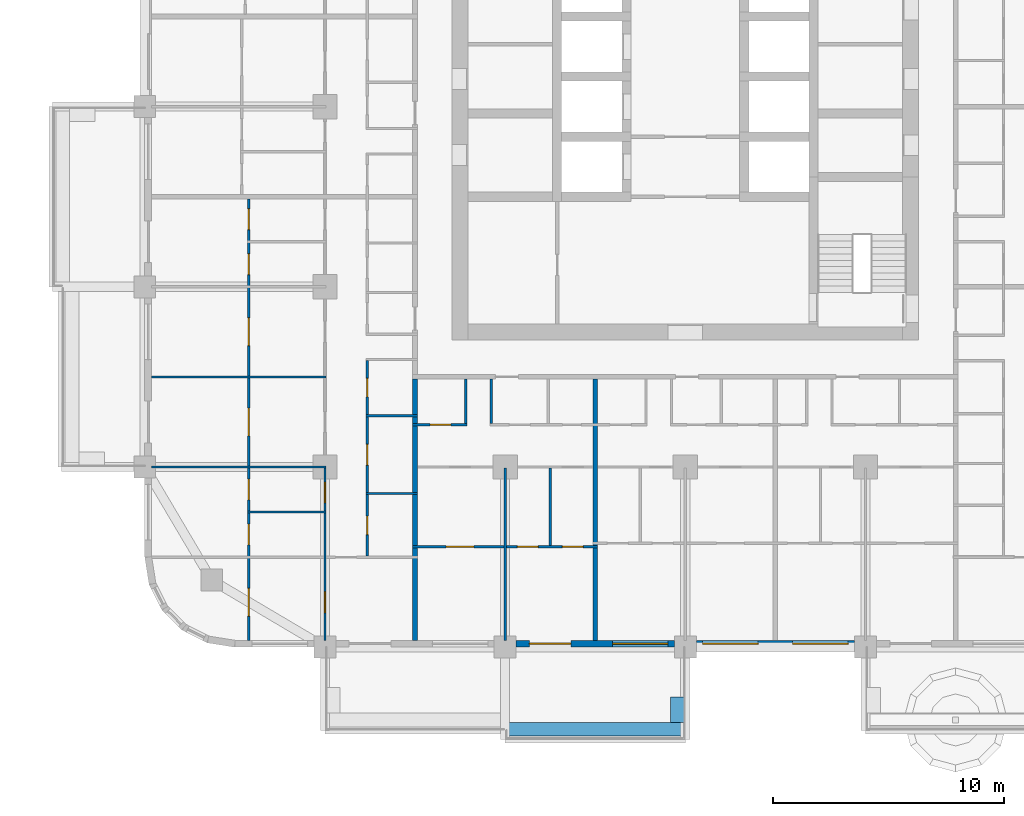
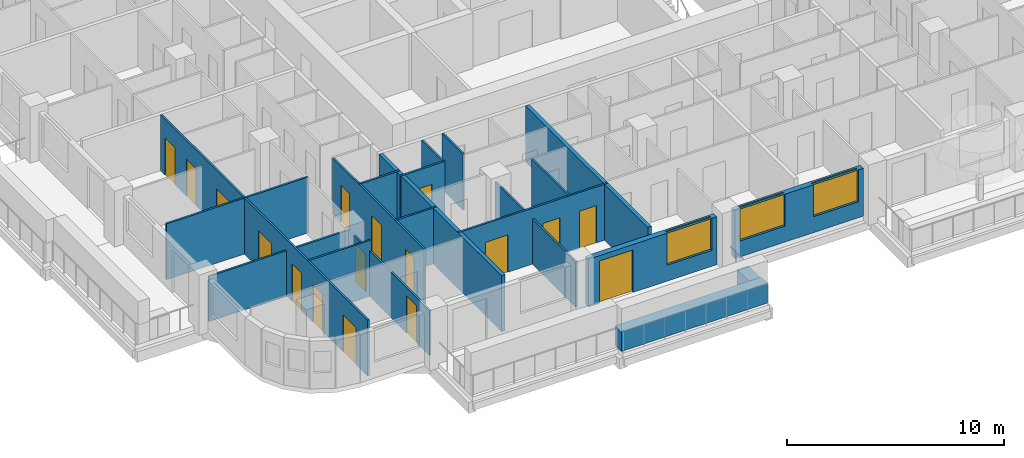
# One storey, part 3 of 19: 20 walls, 17 doors, 3 windows, 20 openings.
"""IFC4 building model written with IfcOpenShell, lengths in metres."""

from ifc_helpers import new_model, si_unit, direction, frame, frame_2d, origin, place, context, subcontext, project, spatial, rectangle, extrude, material, layer, layer_set, type_object, element, fill, save


model = new_model("IFC4")

# Units and contexts
model_context = context("Model", 3, precision=1e-05, world=origin(), true_north=direction((0.0, 1.0)))
body_context = subcontext(model_context, "Body", "Model", "MODEL_VIEW")
ifc_project = project(units=[si_unit("LENGTHUNIT", "METRE"), si_unit("AREAUNIT", "SQUARE_METRE"), si_unit("VOLUMEUNIT", "CUBIC_METRE"), si_unit("PLANEANGLEUNIT", "RADIAN"), si_unit("MASSUNIT", "GRAM", prefix="KILO")], contexts=[model_context])

# Site, building, storey
site_placement = place(None, origin())
site = spatial("IfcSite", under=ifc_project, at=site_placement, CompositionType="ELEMENT")
building_placement = place(site_placement, origin())
building = spatial("IfcBuilding", under=site, at=building_placement, Name="Ludao Terraces", CompositionType="ELEMENT")
storey_placement = place(building_placement, frame((0.0, 0.0, 68.199951171875)))
storey = spatial("IfcBuildingStorey", under=building, at=storey_placement, Name="L18", CompositionType="ELEMENT", Elevation=68.199951171875)

# Walls
ifc_material_1 = material(Name="Concrete C40", Category="concrete")
ifc_layer_1 = layer(ifc_material_1, 0.60009765625)
ifc_layer_set_1 = layer_set([ifc_layer_1], Name="ENV Planter trough 600")
wall_type_1 = type_object("IfcWallType", Name="ENV Planter trough 600", PredefinedType="USERDEFINED", material=ifc_layer_set_1)
wall_1_placement = place(storey_placement, frame((77.199951171875, 38.050048828125, 0.0), z_axis=(0.0, 0.0, 1.0), x_axis=(1.0, 0.0, 0.0)))
element("IfcWall", 1, at=wall_1_placement, inside=storey, type_object=wall_type_1, Name="PL-L18-S2", ObjectType="PLANTER", PredefinedType="USERDEFINED", context=body_context, shape_type="SweptSolid", body=[
    extrude(rectangle(XDim=7.800048828125, YDim=0.60009765625, at=frame_2d((3.89990234375, 0.0))), origin(), (0.0, 0.0, 1.0), 1.10009765625),
])
wall_2_placement = place(storey_placement, frame((84.64990234375, 38.35009765625, 0.0), z_axis=(0.0, 0.0, 1.0), x_axis=(0.0, 1.0, 0.0)))
element("IfcWall", 2, at=wall_2_placement, inside=storey, type_object=wall_type_1, Name="PL-L18-S2-SB", ObjectType="PLANTER", PredefinedType="USERDEFINED", context=body_context, shape_type="SweptSolid", body=[
    extrude(rectangle(XDim=1.099853515625, YDim=0.60009765625, at=frame_2d((0.5498046875, 0.0))), origin(), (0.0, 0.0, 1.0), 1.10009765625),
])

# Wall, openings, door, window
ifc_material_2 = material(Name="Granite cladding", Category="masonry")
ifc_layer_2 = layer(ifc_material_2, 0.0400390625, Category="stone")
ifc_material_3 = material(Name="Mineral wool")
ifc_layer_3 = layer(ifc_material_3, 0.06005859375)
ifc_layer_4 = layer(ifc_material_1, 0.199951171875, Category="concrete")
ifc_layer_set_2 = layer_set([ifc_layer_2, ifc_layer_3, ifc_layer_4], Name="ENV Stone-clad wall 300")
wall_type_2 = type_object("IfcWallType", Name="ENV Stone-clad wall 300", PredefinedType="SOLIDWALL", material=ifc_layer_set_2)
wall_3_placement = place(storey_placement, frame((77.675048828125, 41.75, 0.0), z_axis=(0.0, 0.0, 1.0), x_axis=(1.0, 0.0, 0.0)))
wall_3 = element("IfcWall", 3, at=wall_3_placement, inside=storey, type_object=wall_type_2, Name="EW-L18-S3", PredefinedType="SOLIDWALL", context=body_context, shape_type="SweptSolid", body=[
    extrude(rectangle(XDim=6.849853515625, YDim=0.300048828125, at=frame_2d((3.4248046875, 0.0))), origin(), (0.0, 0.0, 1.0), 2.699951171875),
])
opening_1_placement = place(wall_3_placement, frame((0.574951171875, 0.0, 0.0)))
opening_1 = element("IfcOpeningElement", 4, at=opening_1_placement, cuts=wall_3, Name="Opening BD", PredefinedType="OPENING", context=body_context, shape_type="SweptSolid", body=[
    extrude(rectangle(XDim=1.800048828125, YDim=2.39990234375, at=frame_2d((0.89990234375, 1.199951171875))), frame((0.0, 0.16015625, 0.0), z_axis=(0.0, -1.0, 0.0), x_axis=(1.0, 0.0, 0.0)), (0.0, 0.0, 1.0), 0.320068359375),
])
opening_2_placement = place(wall_3_placement, frame((4.175048828125, 0.0, 0.89990234375)))
opening_2 = element("IfcOpeningElement", 5, at=opening_2_placement, cuts=wall_3, Name="Opening W1", PredefinedType="OPENING", context=body_context, shape_type="SweptSolid", body=[
    extrude(rectangle(XDim=2.39990234375, YDim=1.800048828125, at=frame_2d((1.199951171875, 0.89990234375))), frame((0.0, 0.16015625, 0.0), z_axis=(0.0, -1.0, 0.0), x_axis=(1.0, 0.0, 0.0)), (0.0, 0.0, 1.0), 0.320068359375),
])
ifc_material_4 = material(Name="Aluminium glazed door", Category="aluminium")
ifc_layer_5 = layer(ifc_material_4, 0.06005859375)
ifc_layer_set_3 = layer_set([ifc_layer_5], Name="ENV Balcony door BD 1800x2400")
door_type_1 = type_object("IfcDoorType", Name="ENV Balcony door BD 1800x2400", OperationType="DOUBLE_DOOR_SINGLE_SWING", PredefinedType="DOOR", material=ifc_layer_set_3)
door_1_placement = place(opening_1_placement, origin())
door_1 = element("IfcDoor", 6, at=door_1_placement, inside=storey, type_object=door_type_1, Name="BD-L18-S3-1", OperationType="DOUBLE_DOOR_SINGLE_SWING", OverallHeight=2.39990234375, OverallWidth=1.800048828125, PredefinedType="DOOR", context=body_context, shape_type="SweptSolid", body=[
    extrude(rectangle(XDim=1.800048828125, YDim=2.39990234375, at=frame_2d((0.89990234375, 1.199951171875))), frame((0.0, 0.02490234375, 0.0), z_axis=(0.0, -1.0, 0.0), x_axis=(1.0, 0.0, 0.0)), (0.0, 0.0, 1.0), 0.050048828125),
])
fill(opening_1, door_1)
ifc_material_5 = material(Name="Clear glass in aluminium frame", Category="aluminium")
ifc_layer_6 = layer(ifc_material_5, 0.06005859375)
ifc_layer_set_4 = layer_set([ifc_layer_6], Name="ENV Window W1 2400x1800")
window_type = type_object("IfcWindowType", Name="ENV Window W1 2400x1800", PartitioningType="DOUBLE_PANEL_VERTICAL", PredefinedType="WINDOW", material=ifc_layer_set_4)
window_1_placement = place(opening_2_placement, origin())
window_1 = element("IfcWindow", 7, at=window_1_placement, inside=storey, type_object=window_type, Name="W-L18-S3-2", OverallHeight=1.800048828125, OverallWidth=2.39990234375, PartitioningType="DOUBLE_PANEL_VERTICAL", PredefinedType="WINDOW", context=body_context, shape_type="SweptSolid", body=[
    extrude(rectangle(XDim=2.39990234375, YDim=1.800048828125, at=frame_2d((1.199951171875, 0.89990234375))), frame((0.0, 0.030029296875, 0.0), z_axis=(0.0, -1.0, 0.0), x_axis=(1.0, 0.0, 0.0)), (0.0, 0.0, 1.0), 0.06005859375),
])
fill(opening_2, window_1)

# Wall, openings, windows
wall_4_placement = place(storey_placement, frame((85.47509765625, 41.75, 0.0), z_axis=(0.0, 0.0, 1.0), x_axis=(1.0, 0.0, 0.0)))
wall_4 = element("IfcWall", 8, at=wall_4_placement, inside=storey, type_object=wall_type_2, Name="EW-L18-S4", PredefinedType="SOLIDWALL", context=body_context, shape_type="SweptSolid", body=[
    extrude(rectangle(XDim=6.849853515625, YDim=0.300048828125, at=frame_2d((3.4248046875, 0.0))), origin(), (0.0, 0.0, 1.0), 2.699951171875),
])
opening_3_placement = place(wall_4_placement, frame((0.27490234375, 0.0, 0.89990234375)))
opening_3 = element("IfcOpeningElement", 9, at=opening_3_placement, cuts=wall_4, Name="Opening W1", PredefinedType="OPENING", context=body_context, shape_type="SweptSolid", body=[
    extrude(rectangle(XDim=2.39990234375, YDim=1.800048828125, at=frame_2d((1.199951171875, 0.89990234375))), frame((0.0, 0.16015625, 0.0), z_axis=(0.0, -1.0, 0.0), x_axis=(1.0, 0.0, 0.0)), (0.0, 0.0, 1.0), 0.320068359375),
])
opening_4_placement = place(wall_4_placement, frame((4.175048828125, 0.0, 0.89990234375)))
opening_4 = element("IfcOpeningElement", 10, at=opening_4_placement, cuts=wall_4, Name="Opening W1", PredefinedType="OPENING", context=body_context, shape_type="SweptSolid", body=[
    extrude(rectangle(XDim=2.39990234375, YDim=1.800048828125, at=frame_2d((1.199951171875, 0.89990234375))), frame((0.0, 0.16015625, 0.0), z_axis=(0.0, -1.0, 0.0), x_axis=(1.0, 0.0, 0.0)), (0.0, 0.0, 1.0), 0.320068359375),
])
window_2_placement = place(opening_3_placement, origin())
window_2 = element("IfcWindow", 11, at=window_2_placement, inside=storey, type_object=window_type, Name="W-L18-S4-1", OverallHeight=1.800048828125, OverallWidth=2.39990234375, PartitioningType="DOUBLE_PANEL_VERTICAL", PredefinedType="WINDOW", context=body_context, shape_type="SweptSolid", body=[
    extrude(rectangle(XDim=2.39990234375, YDim=1.800048828125, at=frame_2d((1.199951171875, 0.89990234375))), frame((0.0, 0.030029296875, 0.0), z_axis=(0.0, -1.0, 0.0), x_axis=(1.0, 0.0, 0.0)), (0.0, 0.0, 1.0), 0.06005859375),
])
fill(opening_3, window_2)
window_3_placement = place(opening_4_placement, origin())
window_3 = element("IfcWindow", 12, at=window_3_placement, inside=storey, type_object=window_type, Name="W-L18-S4-2", OverallHeight=1.800048828125, OverallWidth=2.39990234375, PartitioningType="DOUBLE_PANEL_VERTICAL", PredefinedType="WINDOW", context=body_context, shape_type="SweptSolid", body=[
    extrude(rectangle(XDim=2.39990234375, YDim=1.800048828125, at=frame_2d((1.199951171875, 0.89990234375))), frame((0.0, 0.030029296875, 0.0), z_axis=(0.0, -1.0, 0.0), x_axis=(1.0, 0.0, 0.0)), (0.0, 0.0, 1.0), 0.06005859375),
])
fill(opening_4, window_3)

# Wall, openings, doors
ifc_material_6 = material(Name="Gypsum plasterboard", Category="gypsum")
ifc_layer_7 = layer(ifc_material_6, 0.012451171875, Category="gypsum")
ifc_layer_8 = layer(ifc_material_3, 0.06005859375, Name="insulation")
ifc_material_7 = material(Name="Steel Q235", Category="steel")
ifc_layer_9 = layer(ifc_material_7, 0.014892578125, Name="stud")
ifc_layer_10 = layer(ifc_material_6, 0.012451171875, Category="gypsum")
ifc_layer_set_5 = layer_set([ifc_layer_7, ifc_layer_8, ifc_layer_9, ifc_layer_10], Name="INT Partition 100")
wall_type_3 = type_object("IfcWallType", Name="INT Partition 100", PredefinedType="PARTITIONING", material=ifc_layer_set_5)
wall_5_placement = place(storey_placement, frame((73.2001953125, 45.949951171875, 0.0), z_axis=(0.0, 0.0, 1.0), x_axis=(1.0, 0.0, 0.0)))
wall_5 = element("IfcWall", 13, at=wall_5_placement, inside=storey, type_object=wall_type_3, Name="PW-L18-PW002", PredefinedType="PARTITIONING", context=body_context, shape_type="SweptSolid", body=[
    extrude(rectangle(XDim=8.0, YDim=0.10009765625, at=frame_2d((4.0, 0.0))), origin(), (0.0, 0.0, 1.0), 3.150146484375),
])
opening_5_placement = place(wall_5_placement, frame((1.449951171875, 0.0, 0.0)))
opening_5 = element("IfcOpeningElement", 14, at=opening_5_placement, cuts=wall_5, Name="Opening R05-007", PredefinedType="OPENING", context=body_context, shape_type="SweptSolid", body=[
    extrude(rectangle(XDim=1.199951171875, YDim=2.10009765625, at=frame_2d((0.60009765625, 1.050048828125))), frame((0.0, 0.06005859375, 0.0), z_axis=(0.0, -1.0, 0.0), x_axis=(1.0, 0.0, 0.0)), (0.0, 0.0, 1.0), 0.1201171875),
])
opening_6_placement = place(wall_5_placement, frame((4.52490234375, 0.0, 0.0)))
opening_6 = element("IfcOpeningElement", 15, at=opening_6_placement, cuts=wall_5, Name="Opening R05-008", PredefinedType="OPENING", context=body_context, shape_type="SweptSolid", body=[
    extrude(rectangle(XDim=0.89990234375, YDim=2.10009765625, at=frame_2d((0.449951171875, 1.050048828125))), frame((0.0, 0.06005859375, 0.0), z_axis=(0.0, -1.0, 0.0), x_axis=(1.0, 0.0, 0.0)), (0.0, 0.0, 1.0), 0.1201171875),
])
opening_7_placement = place(wall_5_placement, frame((6.474853515625, 0.0, 0.0)))
opening_7 = element("IfcOpeningElement", 16, at=opening_7_placement, cuts=wall_5, Name="Opening R05-009", PredefinedType="OPENING", context=body_context, shape_type="SweptSolid", body=[
    extrude(rectangle(XDim=0.89990234375, YDim=2.10009765625, at=frame_2d((0.449951171875, 1.050048828125))), frame((0.0, 0.06005859375, 0.0), z_axis=(0.0, -1.0, 0.0), x_axis=(1.0, 0.0, 0.0)), (0.0, 0.0, 1.0), 0.1201171875),
])
ifc_material_8 = material(Name="Timber door leaf", Category="wood")
door_type_2 = type_object("IfcDoorType", Name="INT Bathroom door 900", OperationType="SINGLE_SWING_LEFT", PredefinedType="DOOR", material=ifc_material_8)
door_2_placement = place(opening_6_placement, origin())
door_2 = element("IfcDoor", 17, at=door_2_placement, inside=storey, type_object=door_type_2, Name="DOOR 008", OperationType="SINGLE_SWING_LEFT", OverallHeight=2.10009765625, OverallWidth=0.89990234375, PredefinedType="DOOR", context=body_context, shape_type="SweptSolid", body=[
    extrude(rectangle(XDim=0.89990234375, YDim=2.10009765625, at=frame_2d((0.449951171875, 1.050048828125))), frame((0.0, 0.02490234375, 0.0), z_axis=(0.0, -1.0, 0.0), x_axis=(1.0, 0.0, 0.0)), (0.0, 0.0, 1.0), 0.050048828125),
])
fill(opening_6, door_2)
door_type_3 = type_object("IfcDoorType", Name="INT Double door 1200", OperationType="DOUBLE_DOOR_SINGLE_SWING", PredefinedType="DOOR", material=ifc_material_8)
door_3_placement = place(opening_5_placement, origin())
door_3 = element("IfcDoor", 18, at=door_3_placement, inside=storey, type_object=door_type_3, Name="DOOR 007", OperationType="DOUBLE_DOOR_SINGLE_SWING", OverallHeight=2.10009765625, OverallWidth=1.199951171875, PredefinedType="DOOR", context=body_context, shape_type="SweptSolid", body=[
    extrude(rectangle(XDim=1.199951171875, YDim=2.10009765625, at=frame_2d((0.60009765625, 1.050048828125))), frame((0.0, 0.02490234375, 0.0), z_axis=(0.0, -1.0, 0.0), x_axis=(1.0, 0.0, 0.0)), (0.0, 0.0, 1.0), 0.050048828125),
])
fill(opening_5, door_3)
door_type_4 = type_object("IfcDoorType", Name="INT Room door 900", OperationType="SINGLE_SWING_LEFT", PredefinedType="DOOR", material=ifc_material_8)
door_4_placement = place(opening_7_placement, origin())
door_4 = element("IfcDoor", 19, at=door_4_placement, inside=storey, type_object=door_type_4, Name="DOOR 009", OperationType="SINGLE_SWING_LEFT", OverallHeight=2.10009765625, OverallWidth=0.89990234375, PredefinedType="DOOR", context=body_context, shape_type="SweptSolid", body=[
    extrude(rectangle(XDim=0.89990234375, YDim=2.10009765625, at=frame_2d((0.449951171875, 1.050048828125))), frame((0.0, 0.02490234375, 0.0), z_axis=(0.0, -1.0, 0.0), x_axis=(1.0, 0.0, 0.0)), (0.0, 0.0, 1.0), 0.050048828125),
])
fill(opening_7, door_4)

# Walls
wall_6_placement = place(storey_placement, frame((66.050048828125, 47.449951171875, 0.0), z_axis=(0.0, 0.0, 1.0), x_axis=(1.0, 0.0, 0.0)))
element("IfcWall", 20, at=wall_6_placement, inside=storey, type_object=wall_type_3, Name="PW-L18-PW004", PredefinedType="PARTITIONING", context=body_context, shape_type="SweptSolid", body=[
    extrude(rectangle(XDim=3.400146484375, YDim=0.10009765625, at=frame_2d((1.7001953125, 0.0))), origin(), (0.0, 0.0, 1.0), 3.150146484375),
])
wall_7_placement = place(storey_placement, frame((71.18017578125, 48.25, 0.0), z_axis=(0.0, 0.0, 1.0), x_axis=(1.0, 0.0, 0.0)))
element("IfcWall", 21, at=wall_7_placement, inside=storey, type_object=wall_type_3, Name="PW-L18-PW006", PredefinedType="PARTITIONING", context=body_context, shape_type="SweptSolid", body=[
    extrude(rectangle(XDim=2.219970703125, YDim=0.10009765625, at=frame_2d((1.10986328125, 0.0))), origin(), (0.0, 0.0, 1.0), 3.150146484375),
])
wall_8_placement = place(storey_placement, frame((61.900146484375, 49.39990234375, 0.0), z_axis=(0.0, 0.0, 1.0), x_axis=(1.0, 0.0, 0.0)))
element("IfcWall", 22, at=wall_8_placement, inside=storey, type_object=wall_type_3, Name="PW-L18-PW007", PredefinedType="PARTITIONING", context=body_context, shape_type="SweptSolid", body=[
    extrude(rectangle(XDim=7.550048828125, YDim=0.10009765625, at=frame_2d((3.77490234375, 0.0))), origin(), (0.0, 0.0, 1.0), 2.550048828125),
])

# Wall, opening, door
wall_9_placement = place(storey_placement, frame((73.2001953125, 51.22998046875, 0.0), z_axis=(0.0, 0.0, 1.0), x_axis=(1.0, 0.0, 0.0)))
wall_9 = element("IfcWall", 23, at=wall_9_placement, inside=storey, type_object=wall_type_3, Name="PW-L18-PW011", PredefinedType="PARTITIONING", context=body_context, shape_type="SweptSolid", body=[
    extrude(rectangle(XDim=2.349853515625, YDim=0.10009765625, at=frame_2d((1.1748046875, 0.0))), origin(), (0.0, 0.0, 1.0), 3.150146484375),
])
opening_8_placement = place(wall_9_placement, frame((0.75, 0.0, 0.0)))
opening_8 = element("IfcOpeningElement", 24, at=opening_8_placement, cuts=wall_9, Name="Opening R05-033", PredefinedType="OPENING", context=body_context, shape_type="SweptSolid", body=[
    extrude(rectangle(XDim=0.89990234375, YDim=2.10009765625, at=frame_2d((0.449951171875, 1.050048828125))), frame((0.0, 0.06005859375, 0.0), z_axis=(0.0, -1.0, 0.0), x_axis=(1.0, 0.0, 0.0)), (0.0, 0.0, 1.0), 0.1201171875),
])
door_5_placement = place(opening_8_placement, origin())
door_5 = element("IfcDoor", 25, at=door_5_placement, inside=storey, type_object=door_type_2, Name="DOOR 033", OperationType="SINGLE_SWING_LEFT", OverallHeight=2.10009765625, OverallWidth=0.89990234375, PredefinedType="DOOR", context=body_context, shape_type="SweptSolid", body=[
    extrude(rectangle(XDim=0.89990234375, YDim=2.10009765625, at=frame_2d((0.449951171875, 1.050048828125))), frame((0.0, 0.02490234375, 0.0), z_axis=(0.0, -1.0, 0.0), x_axis=(1.0, 0.0, 0.0)), (0.0, 0.0, 1.0), 0.050048828125),
])
fill(opening_8, door_5)

# Walls
wall_10_placement = place(storey_placement, frame((71.18017578125, 51.6201171875, 0.0), z_axis=(0.0, 0.0, 1.0), x_axis=(1.0, 0.0, 0.0)))
element("IfcWall", 26, at=wall_10_placement, inside=storey, type_object=wall_type_3, Name="PW-L18-PW016", PredefinedType="PARTITIONING", context=body_context, shape_type="SweptSolid", body=[
    extrude(rectangle(XDim=2.219970703125, YDim=0.10009765625, at=frame_2d((1.10986328125, 0.0))), origin(), (0.0, 0.0, 1.0), 3.150146484375),
])
wall_11_placement = place(storey_placement, frame((61.900146484375, 53.300048828125, 0.0), z_axis=(0.0, 0.0, 1.0), x_axis=(1.0, 0.0, 0.0)))
element("IfcWall", 27, at=wall_11_placement, inside=storey, type_object=wall_type_3, Name="PW-L18-PW018", PredefinedType="PARTITIONING", context=body_context, shape_type="SweptSolid", body=[
    extrude(rectangle(XDim=7.550048828125, YDim=0.10009765625, at=frame_2d((3.77490234375, 0.0))), origin(), (0.0, 0.0, 1.0), 3.150146484375),
])

# Wall, openings, doors
wall_12_placement = place(storey_placement, frame((66.10009765625, 41.900146484375, 0.0), z_axis=(0.0, 0.0, 1.0), x_axis=(0.0, 1.0, 0.0)))
wall_12 = element("IfcWall", 28, at=wall_12_placement, inside=storey, type_object=wall_type_3, Name="PW-L18-PW084", PredefinedType="PARTITIONING", context=body_context, shape_type="SweptSolid", body=[
    extrude(rectangle(XDim=19.099853515625, YDim=0.10009765625, at=frame_2d((9.5498046875, 0.0))), origin(), (0.0, 0.0, 1.0), 3.150146484375),
])
opening_9_placement = place(wall_12_placement, frame((1.050048828125, 0.0, 0.0)))
opening_9 = element("IfcOpeningElement", 29, at=opening_9_placement, cuts=wall_12, Name="Opening R05-001", PredefinedType="OPENING", context=body_context, shape_type="SweptSolid", body=[
    extrude(rectangle(XDim=1.199951171875, YDim=2.10009765625, at=frame_2d((0.60009765625, 1.050048828125))), frame((0.0, 0.06005859375, 0.0), z_axis=(0.0, -1.0, 0.0), x_axis=(1.0, 0.0, 0.0)), (0.0, 0.0, 1.0), 0.1201171875),
])
opening_10_placement = place(wall_12_placement, frame((4.125, 0.0, 0.0)))
opening_10 = element("IfcOpeningElement", 30, at=opening_10_placement, cuts=wall_12, Name="Opening R05-016", PredefinedType="OPENING", context=body_context, shape_type="SweptSolid", body=[
    extrude(rectangle(XDim=0.89990234375, YDim=2.10009765625, at=frame_2d((0.449951171875, 1.050048828125))), frame((0.0, 0.06005859375, 0.0), z_axis=(0.0, -1.0, 0.0), x_axis=(1.0, 0.0, 0.0)), (0.0, 0.0, 1.0), 0.1201171875),
])
opening_11_placement = place(wall_12_placement, frame((6.074951171875, 0.0, 0.0)))
opening_11 = element("IfcOpeningElement", 31, at=opening_11_placement, cuts=wall_12, Name="Opening R05-022", PredefinedType="OPENING", context=body_context, shape_type="SweptSolid", body=[
    extrude(rectangle(XDim=0.89990234375, YDim=2.10009765625, at=frame_2d((0.449951171875, 1.050048828125))), frame((0.0, 0.06005859375, 0.0), z_axis=(0.0, -1.0, 0.0), x_axis=(1.0, 0.0, 0.0)), (0.0, 0.0, 1.0), 0.1201171875),
])
opening_12_placement = place(wall_12_placement, frame((8.85009765625, 0.0, 0.0)))
opening_12 = element("IfcOpeningElement", 32, at=opening_12_placement, cuts=wall_12, Name="Opening R05-042", PredefinedType="OPENING", context=body_context, shape_type="SweptSolid", body=[
    extrude(rectangle(XDim=1.199951171875, YDim=2.10009765625, at=frame_2d((0.60009765625, 1.050048828125))), frame((0.0, 0.06005859375, 0.0), z_axis=(0.0, -1.0, 0.0), x_axis=(1.0, 0.0, 0.0)), (0.0, 0.0, 1.0), 0.1201171875),
])
opening_13_placement = place(wall_12_placement, frame((12.75, 0.0, 0.0)))
opening_13 = element("IfcOpeningElement", 33, at=opening_13_placement, cuts=wall_12, Name="Opening R05-052", PredefinedType="OPENING", context=body_context, shape_type="SweptSolid", body=[
    extrude(rectangle(XDim=1.199951171875, YDim=2.10009765625, at=frame_2d((0.60009765625, 1.050048828125))), frame((0.0, 0.06005859375, 0.0), z_axis=(0.0, -1.0, 0.0), x_axis=(1.0, 0.0, 0.0)), (0.0, 0.0, 1.0), 0.1201171875),
])
opening_14_placement = place(wall_12_placement, frame((15.824951171875, 0.0, 0.0)))
opening_14 = element("IfcOpeningElement", 34, at=opening_14_placement, cuts=wall_12, Name="Opening R05-065", PredefinedType="OPENING", context=body_context, shape_type="SweptSolid", body=[
    extrude(rectangle(XDim=0.89990234375, YDim=2.10009765625, at=frame_2d((0.449951171875, 1.050048828125))), frame((0.0, 0.06005859375, 0.0), z_axis=(0.0, -1.0, 0.0), x_axis=(1.0, 0.0, 0.0)), (0.0, 0.0, 1.0), 0.1201171875),
])
opening_15_placement = place(wall_12_placement, frame((17.77490234375, 0.0, 0.0)))
opening_15 = element("IfcOpeningElement", 35, at=opening_15_placement, cuts=wall_12, Name="Opening R05-070", PredefinedType="OPENING", context=body_context, shape_type="SweptSolid", body=[
    extrude(rectangle(XDim=0.89990234375, YDim=2.10009765625, at=frame_2d((0.449951171875, 1.050048828125))), frame((0.0, 0.06005859375, 0.0), z_axis=(0.0, -1.0, 0.0), x_axis=(1.0, 0.0, 0.0)), (0.0, 0.0, 1.0), 0.1201171875),
])
door_6_placement = place(opening_10_placement, origin())
door_6 = element("IfcDoor", 36, at=door_6_placement, inside=storey, type_object=door_type_2, Name="DOOR 016", OperationType="SINGLE_SWING_RIGHT", OverallHeight=2.10009765625, OverallWidth=0.89990234375, PredefinedType="DOOR", context=body_context, shape_type="SweptSolid", body=[
    extrude(rectangle(XDim=0.89990234375, YDim=2.10009765625, at=frame_2d((0.449951171875, 1.050048828125))), frame((0.0, 0.02490234375, 0.0), z_axis=(0.0, -1.0, 0.0), x_axis=(1.0, 0.0, 0.0)), (0.0, 0.0, 1.0), 0.050048828125),
])
fill(opening_10, door_6)
door_7_placement = place(opening_14_placement, origin())
door_7 = element("IfcDoor", 37, at=door_7_placement, inside=storey, type_object=door_type_2, Name="DOOR 065", OperationType="SINGLE_SWING_RIGHT", OverallHeight=2.10009765625, OverallWidth=0.89990234375, PredefinedType="DOOR", context=body_context, shape_type="SweptSolid", body=[
    extrude(rectangle(XDim=0.89990234375, YDim=2.10009765625, at=frame_2d((0.449951171875, 1.050048828125))), frame((0.0, 0.02490234375, 0.0), z_axis=(0.0, -1.0, 0.0), x_axis=(1.0, 0.0, 0.0)), (0.0, 0.0, 1.0), 0.050048828125),
])
fill(opening_14, door_7)
door_8_placement = place(opening_9_placement, origin())
door_8 = element("IfcDoor", 38, at=door_8_placement, inside=storey, type_object=door_type_3, Name="DOOR 001", OperationType="DOUBLE_DOOR_SINGLE_SWING", OverallHeight=2.10009765625, OverallWidth=1.199951171875, PredefinedType="DOOR", context=body_context, shape_type="SweptSolid", body=[
    extrude(rectangle(XDim=1.199951171875, YDim=2.10009765625, at=frame_2d((0.60009765625, 1.050048828125))), frame((0.0, 0.02490234375, 0.0), z_axis=(0.0, -1.0, 0.0), x_axis=(1.0, 0.0, 0.0)), (0.0, 0.0, 1.0), 0.050048828125),
])
fill(opening_9, door_8)
door_9_placement = place(opening_12_placement, origin())
door_9 = element("IfcDoor", 39, at=door_9_placement, inside=storey, type_object=door_type_3, Name="DOOR 042", OperationType="DOUBLE_DOOR_SINGLE_SWING", OverallHeight=2.10009765625, OverallWidth=1.199951171875, PredefinedType="DOOR", context=body_context, shape_type="SweptSolid", body=[
    extrude(rectangle(XDim=1.199951171875, YDim=2.10009765625, at=frame_2d((0.60009765625, 1.050048828125))), frame((0.0, 0.02490234375, 0.0), z_axis=(0.0, -1.0, 0.0), x_axis=(1.0, 0.0, 0.0)), (0.0, 0.0, 1.0), 0.050048828125),
])
fill(opening_12, door_9)
door_10_placement = place(opening_13_placement, origin())
door_10 = element("IfcDoor", 40, at=door_10_placement, inside=storey, type_object=door_type_3, Name="DOOR 052", OperationType="DOUBLE_DOOR_SINGLE_SWING", OverallHeight=2.10009765625, OverallWidth=1.199951171875, PredefinedType="DOOR", context=body_context, shape_type="SweptSolid", body=[
    extrude(rectangle(XDim=1.199951171875, YDim=2.10009765625, at=frame_2d((0.60009765625, 1.050048828125))), frame((0.0, 0.02490234375, 0.0), z_axis=(0.0, -1.0, 0.0), x_axis=(1.0, 0.0, 0.0)), (0.0, 0.0, 1.0), 0.050048828125),
])
fill(opening_13, door_10)
door_11_placement = place(opening_11_placement, origin())
door_11 = element("IfcDoor", 41, at=door_11_placement, inside=storey, type_object=door_type_4, Name="DOOR 022", OperationType="SINGLE_SWING_LEFT", OverallHeight=2.10009765625, OverallWidth=0.89990234375, PredefinedType="DOOR", context=body_context, shape_type="SweptSolid", body=[
    extrude(rectangle(XDim=0.89990234375, YDim=2.10009765625, at=frame_2d((0.449951171875, 1.050048828125))), frame((0.0, 0.02490234375, 0.0), z_axis=(0.0, -1.0, 0.0), x_axis=(1.0, 0.0, 0.0)), (0.0, 0.0, 1.0), 0.050048828125),
])
fill(opening_11, door_11)
door_12_placement = place(opening_15_placement, origin())
door_12 = element("IfcDoor", 42, at=door_12_placement, inside=storey, type_object=door_type_4, Name="DOOR 070", OperationType="SINGLE_SWING_RIGHT", OverallHeight=2.10009765625, OverallWidth=0.89990234375, PredefinedType="DOOR", context=body_context, shape_type="SweptSolid", body=[
    extrude(rectangle(XDim=0.89990234375, YDim=2.10009765625, at=frame_2d((0.449951171875, 1.050048828125))), frame((0.0, 0.02490234375, 0.0), z_axis=(0.0, -1.0, 0.0), x_axis=(1.0, 0.0, 0.0)), (0.0, 0.0, 1.0), 0.050048828125),
])
fill(opening_15, door_12)

wall_13_placement = place(storey_placement, frame((69.39990234375, 41.900146484375, 0.0), z_axis=(0.0, 0.0, 1.0), x_axis=(0.0, 1.0, 0.0)))
wall_13 = element("IfcWall", 43, at=wall_13_placement, inside=storey, type_object=wall_type_3, Name="PW-L18-PW085", PredefinedType="PARTITIONING", context=body_context, shape_type="SweptSolid", body=[
    extrude(rectangle(XDim=7.499755859375, YDim=0.10009765625, at=frame_2d((3.75, 0.0))), origin(), (0.0, 0.0, 1.0), 2.550048828125),
])
opening_16_placement = place(wall_13_placement, frame((1.199951171875, 0.0, 0.0)))
opening_16 = element("IfcOpeningElement", 44, at=opening_16_placement, cuts=wall_13, Name="Opening R05-002", PredefinedType="OPENING", context=body_context, shape_type="SweptSolid", body=[
    extrude(rectangle(XDim=0.89990234375, YDim=2.10009765625, at=frame_2d((0.449951171875, 1.050048828125))), frame((0.0, 0.06005859375, 0.0), z_axis=(0.0, -1.0, 0.0), x_axis=(1.0, 0.0, 0.0)), (0.0, 0.0, 1.0), 0.1201171875),
])
opening_17_placement = place(wall_13_placement, frame((5.949951171875, 0.0, 0.0)))
opening_17 = element("IfcOpeningElement", 45, at=opening_17_placement, cuts=wall_13, Name="Opening R05-021", PredefinedType="OPENING", context=body_context, shape_type="SweptSolid", body=[
    extrude(rectangle(XDim=0.89990234375, YDim=2.10009765625, at=frame_2d((0.449951171875, 1.050048828125))), frame((0.0, 0.06005859375, 0.0), z_axis=(0.0, -1.0, 0.0), x_axis=(1.0, 0.0, 0.0)), (0.0, 0.0, 1.0), 0.1201171875),
])
door_13_placement = place(opening_16_placement, origin())
door_13 = element("IfcDoor", 46, at=door_13_placement, inside=storey, type_object=door_type_4, Name="DOOR 002", OperationType="SINGLE_SWING_LEFT", OverallHeight=2.10009765625, OverallWidth=0.89990234375, PredefinedType="DOOR", context=body_context, shape_type="SweptSolid", body=[
    extrude(rectangle(XDim=0.89990234375, YDim=2.10009765625, at=frame_2d((0.449951171875, 1.050048828125))), frame((0.0, 0.02490234375, 0.0), z_axis=(0.0, -1.0, 0.0), x_axis=(1.0, 0.0, 0.0)), (0.0, 0.0, 1.0), 0.050048828125),
])
fill(opening_16, door_13)
door_14_placement = place(opening_17_placement, origin())
door_14 = element("IfcDoor", 47, at=door_14_placement, inside=storey, type_object=door_type_4, Name="DOOR 021", OperationType="SINGLE_SWING_LEFT", OverallHeight=2.10009765625, OverallWidth=0.89990234375, PredefinedType="DOOR", context=body_context, shape_type="SweptSolid", body=[
    extrude(rectangle(XDim=0.89990234375, YDim=2.10009765625, at=frame_2d((0.449951171875, 1.050048828125))), frame((0.0, 0.02490234375, 0.0), z_axis=(0.0, -1.0, 0.0), x_axis=(1.0, 0.0, 0.0)), (0.0, 0.0, 1.0), 0.050048828125),
])
fill(opening_17, door_14)

wall_14_placement = place(storey_placement, frame((71.22998046875, 45.550048828125, 0.0), z_axis=(0.0, 0.0, 1.0), x_axis=(0.0, 1.0, 0.0)))
wall_14 = element("IfcWall", 48, at=wall_14_placement, inside=storey, type_object=wall_type_3, Name="PW-L18-PW086", PredefinedType="PARTITIONING", context=body_context, shape_type="SweptSolid", body=[
    extrude(rectangle(XDim=8.449951171875, YDim=0.10009765625, at=frame_2d((4.22509765625, 0.0))), origin(), (0.0, 0.0, 1.0), 3.150146484375),
])
opening_18_placement = place(wall_14_placement, frame((0.925048828125, 0.0, 0.0)))
opening_18 = element("IfcOpeningElement", 49, at=opening_18_placement, cuts=wall_14, Name="Opening R05-018", PredefinedType="OPENING", context=body_context, shape_type="SweptSolid", body=[
    extrude(rectangle(XDim=0.800048828125, YDim=2.10009765625, at=frame_2d((0.39990234375, 1.050048828125))), frame((0.0, 0.06005859375, 0.0), z_axis=(0.0, -1.0, 0.0), x_axis=(1.0, 0.0, 0.0)), (0.0, 0.0, 1.0), 0.1201171875),
])
opening_19_placement = place(wall_14_placement, frame((3.93505859375, 0.0, 0.0)))
opening_19 = element("IfcOpeningElement", 50, at=opening_19_placement, cuts=wall_14, Name="Opening R05-030", PredefinedType="OPENING", context=body_context, shape_type="SweptSolid", body=[
    extrude(rectangle(XDim=0.89990234375, YDim=2.10009765625, at=frame_2d((0.449951171875, 1.050048828125))), frame((0.0, 0.06005859375, 0.0), z_axis=(0.0, -1.0, 0.0), x_axis=(1.0, 0.0, 0.0)), (0.0, 0.0, 1.0), 0.1201171875),
])
opening_20_placement = place(wall_14_placement, frame((6.885009765625, 0.0, 0.0)))
opening_20 = element("IfcOpeningElement", 51, at=opening_20_placement, cuts=wall_14, Name="Opening R05-046", PredefinedType="OPENING", context=body_context, shape_type="SweptSolid", body=[
    extrude(rectangle(XDim=0.800048828125, YDim=2.10009765625, at=frame_2d((0.39990234375, 1.050048828125))), frame((0.0, 0.06005859375, 0.0), z_axis=(0.0, -1.0, 0.0), x_axis=(1.0, 0.0, 0.0)), (0.0, 0.0, 1.0), 0.1201171875),
])
door_15_placement = place(opening_19_placement, origin())
door_15 = element("IfcDoor", 52, at=door_15_placement, inside=storey, type_object=door_type_4, Name="DOOR 030", OperationType="SINGLE_SWING_RIGHT", OverallHeight=2.10009765625, OverallWidth=0.89990234375, PredefinedType="DOOR", context=body_context, shape_type="SweptSolid", body=[
    extrude(rectangle(XDim=0.89990234375, YDim=2.10009765625, at=frame_2d((0.449951171875, 1.050048828125))), frame((0.0, 0.02490234375, 0.0), z_axis=(0.0, -1.0, 0.0), x_axis=(1.0, 0.0, 0.0)), (0.0, 0.0, 1.0), 0.050048828125),
])
fill(opening_19, door_15)
door_type_5 = type_object("IfcDoorType", Name="INT Store door 800", OperationType="SINGLE_SWING_LEFT", PredefinedType="DOOR", material=ifc_material_8)
door_16_placement = place(opening_18_placement, origin())
door_16 = element("IfcDoor", 53, at=door_16_placement, inside=storey, type_object=door_type_5, Name="DOOR 018", OperationType="SINGLE_SWING_RIGHT", OverallHeight=2.10009765625, OverallWidth=0.800048828125, PredefinedType="DOOR", context=body_context, shape_type="SweptSolid", body=[
    extrude(rectangle(XDim=0.800048828125, YDim=2.10009765625, at=frame_2d((0.39990234375, 1.050048828125))), frame((0.0, 0.02490234375, 0.0), z_axis=(0.0, -1.0, 0.0), x_axis=(1.0, 0.0, 0.0)), (0.0, 0.0, 1.0), 0.050048828125),
])
fill(opening_18, door_16)
door_17_placement = place(opening_20_placement, origin())
door_17 = element("IfcDoor", 54, at=door_17_placement, inside=storey, type_object=door_type_5, Name="DOOR 046", OperationType="SINGLE_SWING_RIGHT", OverallHeight=2.10009765625, OverallWidth=0.800048828125, PredefinedType="DOOR", context=body_context, shape_type="SweptSolid", body=[
    extrude(rectangle(XDim=0.800048828125, YDim=2.10009765625, at=frame_2d((0.39990234375, 1.050048828125))), frame((0.0, 0.02490234375, 0.0), z_axis=(0.0, -1.0, 0.0), x_axis=(1.0, 0.0, 0.0)), (0.0, 0.0, 1.0), 0.050048828125),
])
fill(opening_20, door_17)

# Walls
for number, where, z_axis, x_axis, name in (
    (55, (75.5, 51.280029296875, 0.0), (0.0, 0.0, 1.0), (0.0, 1.0, 0.0), "PW-L18-PW094"),
    (56, (76.60009765625, 51.280029296875, 0.0), (0.0, 0.0, 1.0), (0.0, 1.0, 0.0), "PW-L18-PW095"),
):
    element("IfcWall", number, at=place(storey_placement, frame(where, z_axis=z_axis, x_axis=x_axis)), inside=storey, type_object=wall_type_3, Name=name, PredefinedType="PARTITIONING", context=body_context, shape_type="SweptSolid", body=[
        extrude(rectangle(XDim=1.920166015625, YDim=0.10009765625, at=frame_2d((0.9599609375, 0.0))), origin(), (0.0, 0.0, 1.0), 3.150146484375),
    ])
wall_15_placement = place(storey_placement, frame((77.199951171875, 41.900146484375, 0.0), z_axis=(0.0, 0.0, 1.0), x_axis=(0.0, 1.0, 0.0)))
element("IfcWall", 57, at=wall_15_placement, inside=storey, type_object=wall_type_3, Name="PW-L18-PW096", PredefinedType="PARTITIONING", context=body_context, shape_type="SweptSolid", body=[
    extrude(rectangle(XDim=7.449951171875, YDim=0.10009765625, at=frame_2d((3.72509765625, 0.0))), origin(), (0.0, 0.0, 1.0), 2.550048828125),
])
wall_16_placement = place(storey_placement, frame((79.14990234375, 46.0, 0.0), z_axis=(0.0, 0.0, 1.0), x_axis=(0.0, 1.0, 0.0)))
element("IfcWall", 58, at=wall_16_placement, inside=storey, type_object=wall_type_3, Name="PW-L18-PW099", PredefinedType="PARTITIONING", context=body_context, shape_type="SweptSolid", body=[
    extrude(rectangle(XDim=3.35009765625, YDim=0.10009765625, at=frame_2d((1.675048828125, 0.0))), origin(), (0.0, 0.0, 1.0), 3.150146484375),
])
ifc_material_9 = material(Name="Autoclaved aerated concrete block B06 A3.5", Category="concrete")
ifc_layer_11 = layer(ifc_material_9, 0.199951171875)
ifc_layer_set_6 = layer_set([ifc_layer_11], Name="INT Party wall 200")
wall_type_4 = type_object("IfcWallType", Name="INT Party wall 200", PredefinedType="PARTITIONING", material=ifc_layer_set_6)
for number, where, z_axis, x_axis, name in (
    (59, (73.300048828125, 41.900146484375, 0.0), (0.0, 0.0, 1.0), (0.0, 1.0, 0.0), "PW-L18-PW091"),
    (60, (81.10009765625, 41.900146484375, 0.0), (0.0, 0.0, 1.0), (0.0, 1.0, 0.0), "PW-L18-PW101"),
):
    element("IfcWall", number, at=place(storey_placement, frame(where, z_axis=z_axis, x_axis=x_axis)), inside=storey, type_object=wall_type_4, Name=name, PredefinedType="PARTITIONING", context=body_context, shape_type="SweptSolid", body=[
        extrude(rectangle(XDim=11.300048828125, YDim=0.199951171875, at=frame_2d((5.64990234375, 0.0))), origin(), (0.0, 0.0, 1.0), 3.150146484375),
    ])

save(model, "model.ifc")
